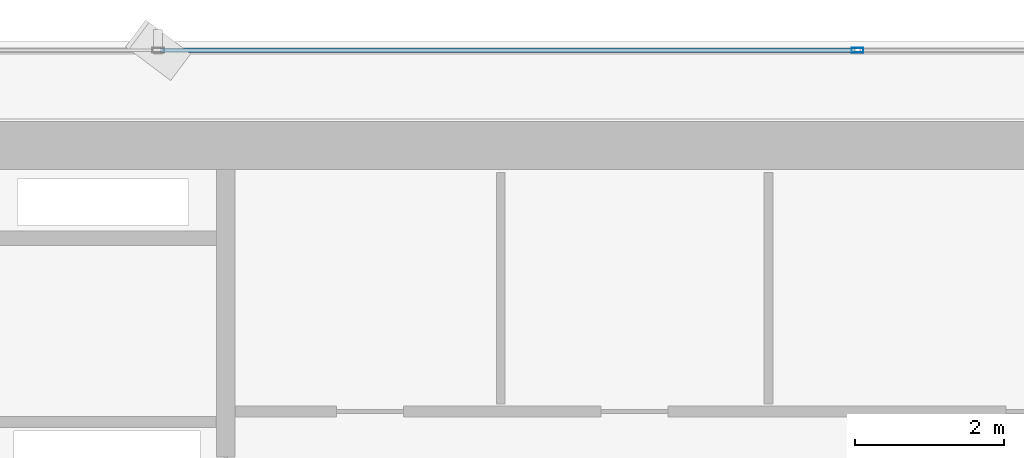
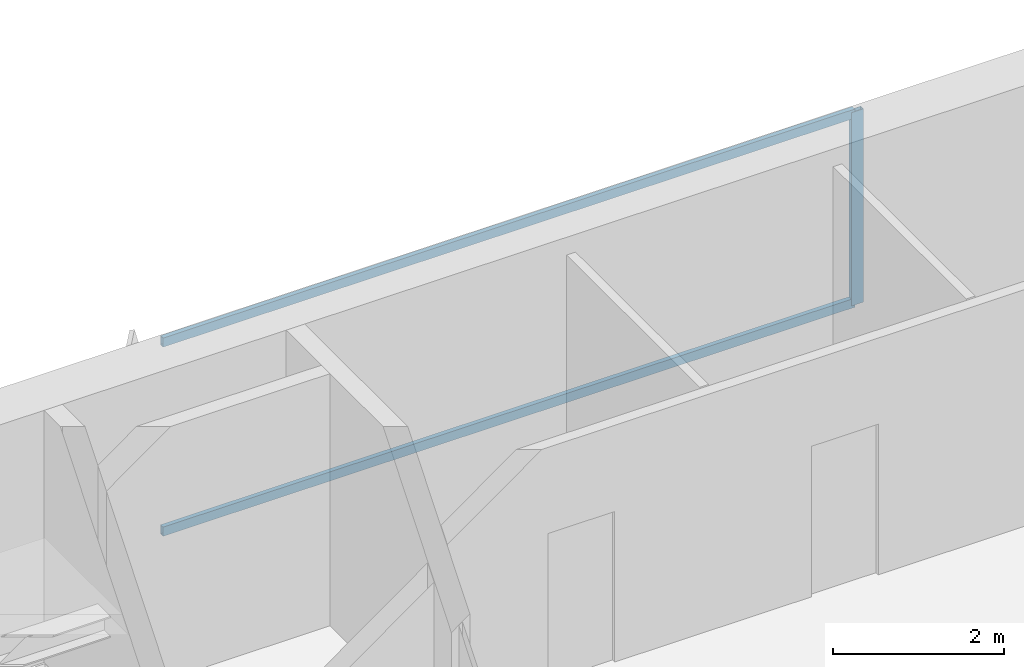
# One storey, part 16 of 28: 3 members, 1 element without a shape of its own.
"""IFC4 building model written with IfcOpenShell, lengths in metres."""

from ifc_helpers import new_model, si_unit, direction, frame, origin, origin_2d, place, context, subcontext, project, spatial, hollow_rectangle, extrude, source, transform, mapped, material, layer, layer_set, material_profile, profile_set, type_object, element, aggregate, save


model = new_model("IFC4")

# Units and contexts
model_context = context("Model", 3, precision=1e-05, world=origin(), true_north=direction((0.0, 1.0)))
body_context = subcontext(model_context, "Body", "Model", "MODEL_VIEW")
ifc_project = project(units=[si_unit("LENGTHUNIT", "METRE"), si_unit("AREAUNIT", "SQUARE_METRE"), si_unit("VOLUMEUNIT", "CUBIC_METRE"), si_unit("PLANEANGLEUNIT", "RADIAN"), si_unit("MASSUNIT", "GRAM", prefix="KILO")], contexts=[model_context])

# Site, building, storey
site_placement = place(None, origin())
site = spatial("IfcSite", under=ifc_project, at=site_placement, CompositionType="ELEMENT")
building_placement = place(site_placement, origin())
building = spatial("IfcBuilding", under=site, at=building_placement, Name="Sumidabori Civic Tower", CompositionType="ELEMENT")
storey_placement = place(building_placement, frame((0.0, 0.0, 146.0)))
storey = spatial("IfcBuildingStorey", under=building, at=storey_placement, Name="L37", CompositionType="ELEMENT", Elevation=146.0)

# Curtain wall, members
ifc_material = material(Name="Anodised Bronze Aluminium AW-6063-T6", Category="aluminium")
ifc_layer = layer(ifc_material, 0.179931640625, Name="Anodised Bronze Aluminium AW-6063-T6")
ifc_layer_set = layer_set([ifc_layer], Name="Anodised Bronze Aluminium AW-6063-T6")
curtain_wall_type = type_object("IfcCurtainWallType", Name="CW-SYS-3", PredefinedType="NOTDEFINED", material=ifc_layer_set)
curtain_wall_placement = place(storey_placement, origin())
curtain_wall = element("IfcCurtainWall", 1, at=curtain_wall_placement, inside=storey, type_object=curtain_wall_type, Name="Curtain Wall CW:L37:R07", PredefinedType="NOTDEFINED")
ifc_material_profile_1 = material_profile(ifc_material, hollow_rectangle(XDim=0.06494140625, YDim=0.159912109375, WallThickness=0.0048828125, at=origin_2d()), Name="ALU MULLION 160x65")
ifc_profile_set_1 = profile_set([ifc_material_profile_1], Name="Anodised Bronze Aluminium AW-6063-T6")
member_type_1 = type_object("IfcMemberType", Name="CW-MUL-160", PredefinedType="MULLION", material=ifc_profile_set_1)
shared_shape_1 = source(origin(), body_context, "Body", "SweptSolid", [
    extrude(hollow_rectangle(XDim=0.06494140625, YDim=0.159912109375, WallThickness=0.0048828125, at=origin_2d()), origin(), (0.0, 0.0, 1.0), 2.760009765625),
])
member_1_placement = place(storey_placement, frame((0.0, 25.080078125, 0.0), z_axis=(0.0, 0.0, 1.0), x_axis=(0.0, -1.0, 0.0)))
member_1 = element("IfcMember", 2, at=member_1_placement, type_object=member_type_1, Name="CW-3 mullion 3", PredefinedType="MULLION", context=body_context, shape_type="MappedRepresentation", body=[
    mapped(shared_shape_1, transform((0.0, 0.0, 0.0), x_axis=(1.0, 0.0, 0.0), y_axis=(0.0, 1.0, 0.0), z_axis=(0.0, 0.0, 1.0), scale=1.0)),
])
ifc_material_profile_2 = material_profile(ifc_material, hollow_rectangle(XDim=0.06005859375, YDim=0.1298828125, WallThickness=0.0048828125, at=origin_2d()), Name="ALU TRANSOM 130x60")
ifc_profile_set_2 = profile_set([ifc_material_profile_2], Name="Anodised Bronze Aluminium AW-6063-T6")
member_type_2 = type_object("IfcMemberType", Name="CW-TRN-130", PredefinedType="USERDEFINED", material=ifc_profile_set_2)
shared_shape_2 = source(origin(), body_context, "Body", "SweptSolid", [
    extrude(hollow_rectangle(XDim=0.06005859375, YDim=0.1298828125, WallThickness=0.0048828125, at=origin_2d()), origin(), (0.0, 0.0, 1.0), 9.344970703125),
])
member_2_placement = place(storey_placement, frame((-0.032470703125, 25.080078125, 0.030029296875), z_axis=(-1.0, 0.0, 0.0), x_axis=(0.0, -1.0, 0.0)))
member_2 = element("IfcMember", 3, at=member_2_placement, type_object=member_type_2, Name="CW-3 transom 3.1", ObjectType="TRANSOM", PredefinedType="USERDEFINED", context=body_context, shape_type="MappedRepresentation", body=[
    mapped(shared_shape_2, transform((0.0, 0.0, 0.0), x_axis=(1.0, 0.0, 0.0), y_axis=(0.0, 1.0, 0.0), z_axis=(0.0, 0.0, 1.0), scale=1.0)),
])
member_3_placement = place(storey_placement, frame((-0.032470703125, 25.080078125, 2.72998046875), z_axis=(-1.0, 0.0, 0.0), x_axis=(0.0, -1.0, 0.0)))
member_3 = element("IfcMember", 4, at=member_3_placement, type_object=member_type_2, Name="CW-3 transom 3.2", ObjectType="TRANSOM", PredefinedType="USERDEFINED", context=body_context, shape_type="MappedRepresentation", body=[
    mapped(shared_shape_2, transform((0.0, 0.0, 0.0), x_axis=(1.0, 0.0, 0.0), y_axis=(0.0, 1.0, 0.0), z_axis=(0.0, 0.0, 1.0), scale=1.0)),
])
aggregate(curtain_wall, [member_1, member_2, member_3])

save(model, "model.ifc")
